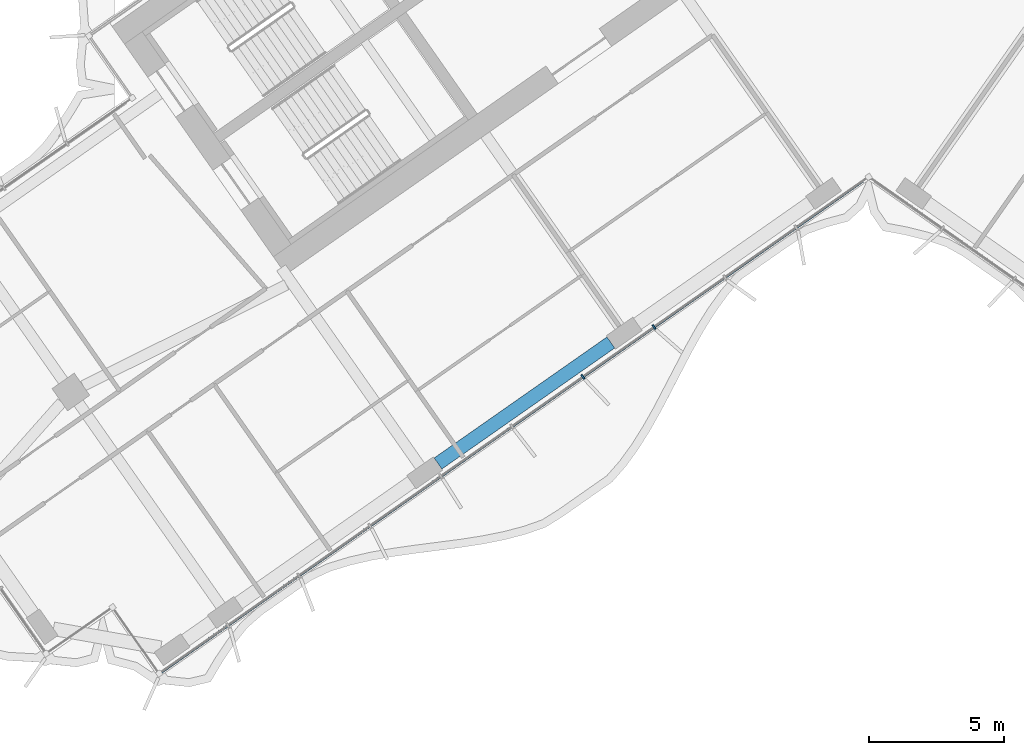
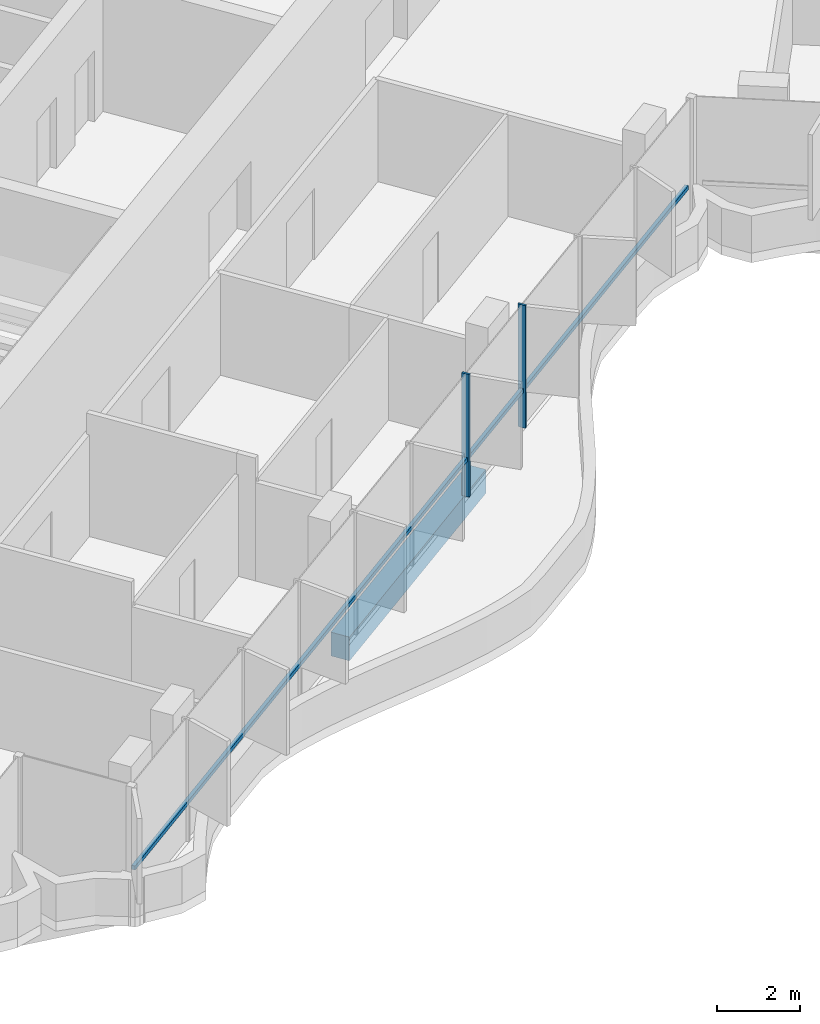
# One storey, part 3 of 23: 3 members, 1 beam, 1 element without a shape of its own.
"""IFC4 building model written with IfcOpenShell, lengths in metres."""

import ifcopenshell
import ifcopenshell.guid

model = None  # the IFC model being written
_history = None  # IfcOwnerHistory: only IFC2X3 demands one
_inside = {}  # id of a spatial element -> (the spatial element, [elements in it])
_under = {}  # id of a project, library or spatial element -> (it, [spatial elements below it])
_declared = {}  # id of a project -> (the project, [libraries it declares])
_typed = {}  # id of a type object -> (the type object, [elements of that type])
_made_of = {}  # id of a material, layer set ... -> (it, [elements and type objects made of it])


def new_model(schema):
    """Start an empty IFC model of exactly this schema.

    Asked for "IFC4X3", IfcOpenShell would pick the latest addendum, in which some entities
    have other attributes; the version numbers below select the first issue.
    IFC2X3 requires an IfcOwnerHistory on every rooted entity: one is made here for all.
    """
    global model, _history
    if schema == "IFC4X3":
        model = ifcopenshell.file(schema_version=(4, 3, 0, 0))
    else:
        model = ifcopenshell.file(schema=schema)
    _inside.clear()
    _under.clear()
    _declared.clear()
    _typed.clear()
    _made_of.clear()
    _history = None
    if model.schema == "IFC2X3":
        org = make("IfcOrganization", Name="unknown")
        user = make(
            "IfcPersonAndOrganization",
            ThePerson=make("IfcPerson", FamilyName="unknown"),
            TheOrganization=org,
        )
        app = make(
            "IfcApplication",
            ApplicationDeveloper=org,
            Version="unknown",
            ApplicationFullName="unknown",
            ApplicationIdentifier="unknown",
        )
        _history = make(
            "IfcOwnerHistory",
            OwningUser=user,
            OwningApplication=app,
            ChangeAction="ADDED",
            CreationDate=0,
        )
    return model


def make(cls, **values):
    """One entity of the class cls with the attributes given. An attribute that is None is left unset."""
    return model.create_entity(
        cls, **{name: value for name, value in values.items() if value is not None}
    )


def rooted(cls, **values):
    """An entity with a GlobalId (a new one), such as an element, a storey or a relation."""
    return make(cls, GlobalId=ifcopenshell.guid.new(), OwnerHistory=_history, **values)


def si_unit(unit_type, name, prefix=None):
    """IfcSIUnit, for example si_unit("LENGTHUNIT", "METRE", prefix="MILLI")."""
    return make("IfcSIUnit", UnitType=unit_type, Prefix=prefix, Name=name)


def assignment(units):
    """IfcUnitAssignment: the units of a project."""
    return None if units is None else make("IfcUnitAssignment", Units=units)


def point(xyz):
    """IfcCartesianPoint."""
    return None if xyz is None else make("IfcCartesianPoint", Coordinates=xyz)


def direction(xyz):
    """IfcDirection."""
    return None if xyz is None else make("IfcDirection", DirectionRatios=xyz)


def frame(location, z_axis=None, x_axis=None):
    """IfcAxis2Placement3D, a coordinate frame: its origin and axes. An axis left out is left unset."""
    return make(
        "IfcAxis2Placement3D",
        Location=point(location),
        Axis=direction(z_axis),
        RefDirection=direction(x_axis),
    )


def frame_2d(location, x_axis=None):
    """IfcAxis2Placement2D, a coordinate frame in the plane: its origin and x axis."""
    return make(
        "IfcAxis2Placement2D", Location=point(location), RefDirection=direction(x_axis)
    )


def origin():
    """The frame at (0, 0, 0) with its axes left unset."""
    return frame((0.0, 0.0, 0.0))


def origin_2d():
    """The frame at (0, 0) in the plane with its x axis left unset."""
    return frame_2d((0.0, 0.0))


def place(relative_to, where):
    """IfcLocalPlacement: puts the frame where relative to a parent placement (None: the world)."""
    return make(
        "IfcLocalPlacement", PlacementRelTo=relative_to, RelativePlacement=where
    )


def context(
    kind, dimensions, precision=None, world=None, true_north=None, identifier=None
):
    """IfcGeometricRepresentationContext, for example the 3D "Model" context."""
    return make(
        "IfcGeometricRepresentationContext",
        ContextIdentifier=identifier,
        ContextType=kind,
        CoordinateSpaceDimension=dimensions,
        Precision=precision,
        WorldCoordinateSystem=world,
        TrueNorth=true_north,
    )


def subcontext(parent, identifier, kind, view, scale=None):
    """IfcGeometricRepresentationSubContext, for example "Body" below "Model"."""
    return make(
        "IfcGeometricRepresentationSubContext",
        ContextIdentifier=identifier,
        ContextType=kind,
        ParentContext=parent,
        TargetScale=scale,
        TargetView=view,
    )


def project(units=None, contexts=None):
    """IfcProject with its units and contexts."""
    return rooted(
        "IfcProject",
        Name="project",
        RepresentationContexts=contexts,
        UnitsInContext=assignment(units),
    )


def spatial(cls, under=None, at=None, **own):
    """A site, building, storey or space (cls), placed at a placement, below another one or the project."""
    s = rooted(cls, ObjectPlacement=at, **own)
    if under is not None:
        _under.setdefault(under.id(), (under, []))[1].append(s)
    return s


def profile(cls, at=None, kind="AREA", **sizes):
    """A parametric profile (cls). Its sizes go by their IFC names, for example OverallWidth=200.0."""
    return make(cls, ProfileType=kind, Position=at, **sizes)


def rectangle(**sizes):
    """IfcRectangleProfileDef."""
    return profile("IfcRectangleProfileDef", **sizes)


def extrude(swept, where, along, depth):
    """IfcExtrudedAreaSolid: the profile swept, set in the frame where, extruded along a direction by depth."""
    return make(
        "IfcExtrudedAreaSolid",
        SweptArea=swept,
        Position=where,
        ExtrudedDirection=direction(along),
        Depth=depth,
    )


def shape(context_of_items, identifier, shape_type, items):
    """IfcShapeRepresentation: the items that make up one representation, for example the "Body"."""
    return make(
        "IfcShapeRepresentation",
        ContextOfItems=context_of_items,
        RepresentationIdentifier=identifier,
        RepresentationType=shape_type,
        Items=items,
    )


def material(Name=None, Category=None):
    """IfcMaterial."""
    return make("IfcMaterial", Name=Name, Category=Category)


def material_profile(
    of_material, cross_section, Name=None, Category=None, Priority=None
):
    """IfcMaterialProfile: a cross section and its material."""
    return make(
        "IfcMaterialProfile",
        Name=Name,
        Material=of_material,
        Profile=cross_section,
        Priority=Priority,
        Category=Category,
    )


def profile_set(profiles, Name=None, composite=None):
    """IfcMaterialProfileSet."""
    return make(
        "IfcMaterialProfileSet",
        Name=Name,
        MaterialProfiles=profiles,
        CompositeProfile=composite,
    )


def made_of(thing, what):
    """Note that an element or type object is made of a material, layer set ...; save() writes the relation."""
    if what is not None:
        _made_of.setdefault(what.id(), (what, []))[1].append(thing)
    return thing


def type_object(cls, material=None, **own):
    """A type object (cls), such as IfcWallType, which elements share."""
    return made_of(rooted(cls, **own), material)


def element(
    cls,
    number,
    at=None,
    inside=None,
    cuts=None,
    type_object=None,
    material=None,
    context=None,
    identifier="Body",
    shape_type=None,
    held_by="IfcProductDefinitionShape",
    body=None,
    shapes=None,
    **own,
):
    """One element of the class cls, such as IfcWall. Its Tag is "e" and its number.

    at: its placement. inside: the storey or other place that contains it. cuts: it is an
    opening in that element (IfcRelVoidsElement). A single representation is given by context,
    identifier, shape_type and body (its items); several are given by shapes. held_by: the class
    of the entity that holds the representations. save() writes the other relations.
    """
    e = rooted(cls, Tag="e%d" % number, ObjectPlacement=at, **own)
    if body is not None:
        shapes = [shape(context, identifier, shape_type, body)]
    if shapes is not None:
        e.Representation = make(held_by, Representations=shapes)
    if inside is not None:
        _inside.setdefault(inside.id(), (inside, []))[1].append(e)
    if cuts is not None:
        rooted(
            "IfcRelVoidsElement", RelatingBuildingElement=cuts, RelatedOpeningElement=e
        )
    if type_object is not None:
        _typed.setdefault(type_object.id(), (type_object, []))[1].append(e)
    return made_of(e, material)


def aggregate(whole, parts):
    """IfcRelAggregates: a whole, such as a stair, and the parts it consists of."""
    return rooted("IfcRelAggregates", RelatingObject=whole, RelatedObjects=parts)


def save(model, path):
    """Write the relations noted so far, then the file.

    IfcRelAggregates (storeys below a building ...), IfcRelContainedInSpatialStructure (elements
    in a storey), IfcRelDefinesByType, IfcRelAssociatesMaterial and IfcRelDeclares: one each for
    every whole, place, type object, material and project.
    """
    for whole, parts in _under.values():
        aggregate(whole, parts)
    for where, things in _inside.values():
        rooted(
            "IfcRelContainedInSpatialStructure",
            RelatedElements=things,
            RelatingStructure=where,
        )
    for kind, things in _typed.values():
        rooted("IfcRelDefinesByType", RelatedObjects=things, RelatingType=kind)
    for what, things in _made_of.values():
        rooted("IfcRelAssociatesMaterial", RelatedObjects=things, RelatingMaterial=what)
    for by, libraries in _declared.values():
        rooted("IfcRelDeclares", RelatingContext=by, RelatedDefinitions=libraries)
    model.write(path)


model = new_model("IFC4")

# Units and contexts
model_context = context("Model", 3, precision=1e-05, world=origin(), true_north=direction((0.0, 1.0)))
body_context = subcontext(model_context, "Body", "Model", "MODEL_VIEW")
ifc_project = project(units=[si_unit("LENGTHUNIT", "METRE"), si_unit("AREAUNIT", "SQUARE_METRE"), si_unit("VOLUMEUNIT", "CUBIC_METRE"), si_unit("PLANEANGLEUNIT", "RADIAN"), si_unit("MASSUNIT", "GRAM", prefix="KILO")], contexts=[model_context])

# Site, building, storey
site_placement = place(None, origin())
site = spatial("IfcSite", under=ifc_project, at=site_placement, CompositionType="ELEMENT")
building_placement = place(site_placement, origin())
building = spatial("IfcBuilding", under=site, at=building_placement, Name="Tel Ilan Convention Tower", CompositionType="ELEMENT")
storey_placement = place(building_placement, frame((0.0, 0.0, 190.5)))
storey = spatial("IfcBuildingStorey", under=building, at=storey_placement, Name="L44", CompositionType="ELEMENT", Elevation=190.5)

# Beam
ifc_material_1 = material(Name="Concrete C40/50", Category="concrete")
ifc_material_profile_1 = material_profile(ifc_material_1, rectangle(XDim=0.5, YDim=0.699951171875, at=origin_2d()), Name="RC 500x700")
ifc_profile_set_1 = profile_set([ifc_material_profile_1], Name="Concrete C40/50")
beam_type = type_object("IfcBeamType", Name="Beam RC 500x700 Concrete C40/50", PredefinedType="BEAM", material=ifc_profile_set_1)
beam_placement = place(storey_placement, frame((-9.529052734375, -18.819091796875, -0.6298828125), z_axis=(-0.819153977895, -0.573573674866, 0.0), x_axis=(0.573573674866, -0.819153977895, 0.0)))
element("IfcBeam", 1, at=beam_placement, inside=storey, type_object=beam_type, Name="L44 beam W-W-F2-W-F3", PredefinedType="BEAM", context=body_context, shape_type="SweptSolid", body=[
    extrude(rectangle(XDim=0.5, YDim=0.699951171875, at=origin_2d()), origin(), (0.0, 0.0, 1.0), 7.800048828125),
])

# Curtain wall, members
ifc_material_2 = material(Name="Aluminium, bronze anodised", Category="aluminium")
curtain_wall_type = type_object("IfcCurtainWallType", Name="CW4 STICK CURTAIN WALL, OFFICE TINTED GLASS", PredefinedType="NOTDEFINED", material=ifc_material_2)
curtain_wall_placement = place(storey_placement, origin())
curtain_wall = element("IfcCurtainWall", 2, at=curtain_wall_placement, inside=storey, type_object=curtain_wall_type, Name="Curtain wall CW4-34.04", PredefinedType="NOTDEFINED")
ifc_material_3 = material(Name="Aluminium, bronze anodised", Category="aluminium")
ifc_material_profile_2 = material_profile(ifc_material_3, rectangle(XDim=0.06005859375, YDim=0.199951171875, at=origin_2d()), Name="CW MULLION 60x200")
ifc_profile_set_2 = profile_set([ifc_material_profile_2], Name="Aluminium, bronze anodised")
member_type_1 = type_object("IfcMemberType", Name="CW MULLION 60x200", PredefinedType="MULLION", material=ifc_profile_set_2)
member_1_placement = place(storey_placement, frame((-10.55810546875, -20.0888671875, 0.0), z_axis=(0.0, 0.0, 1.0), x_axis=(0.819152044289, 0.573576436351, 0.0)))
member_1 = element("IfcMember", 3, at=member_1_placement, type_object=member_type_1, Name="Mullion", PredefinedType="MULLION", context=body_context, shape_type="SweptSolid", body=[
    extrude(rectangle(XDim=0.06005859375, YDim=0.199951171875, at=origin_2d()), origin(), (0.0, 0.0, 1.0), 3.6201171875),
])
member_2_placement = place(storey_placement, frame((-7.932861328125, -18.250732421875, 0.0), z_axis=(0.0, 0.0, 1.0), x_axis=(0.819152044289, 0.573576436351, 0.0)))
member_2 = element("IfcMember", 4, at=member_2_placement, type_object=member_type_1, Name="Mullion", PredefinedType="MULLION", context=body_context, shape_type="SweptSolid", body=[
    extrude(rectangle(XDim=0.06005859375, YDim=0.199951171875, at=origin_2d()), origin(), (0.0, 0.0, 1.0), 3.6201171875),
])
ifc_material_4 = material(Name="Aluminium, bronze anodised", Category="aluminium")
ifc_material_profile_3 = material_profile(ifc_material_4, rectangle(XDim=0.10009765625, YDim=0.1201171875, at=origin_2d()), Name="CW TRANSOM 100x120")
ifc_profile_set_3 = profile_set([ifc_material_profile_3], Name="Aluminium, bronze anodised")
member_type_2 = type_object("IfcMemberType", Name="CW TRANSOM 100x120", PredefinedType="USERDEFINED", material=ifc_profile_set_3)
member_3_placement = place(storey_placement, frame((-26.1455078125, -31.00341796875, 1.10009765625), z_axis=(0.819149281128, 0.573580382534, 0.0), x_axis=(-0.573580382534, 0.819149281128, 0.0)))
member_3 = element("IfcMember", 5, at=member_3_placement, type_object=member_type_2, Name="Transom", ObjectType="TRANSOM", PredefinedType="USERDEFINED", context=body_context, shape_type="SweptSolid", body=[
    extrude(rectangle(XDim=0.10009765625, YDim=0.1201171875, at=origin_2d()), origin(), (0.0, 0.0, 1.0), 31.64794921875),
])
aggregate(curtain_wall, [member_1, member_2, member_3])

save(model, "model.ifc")
